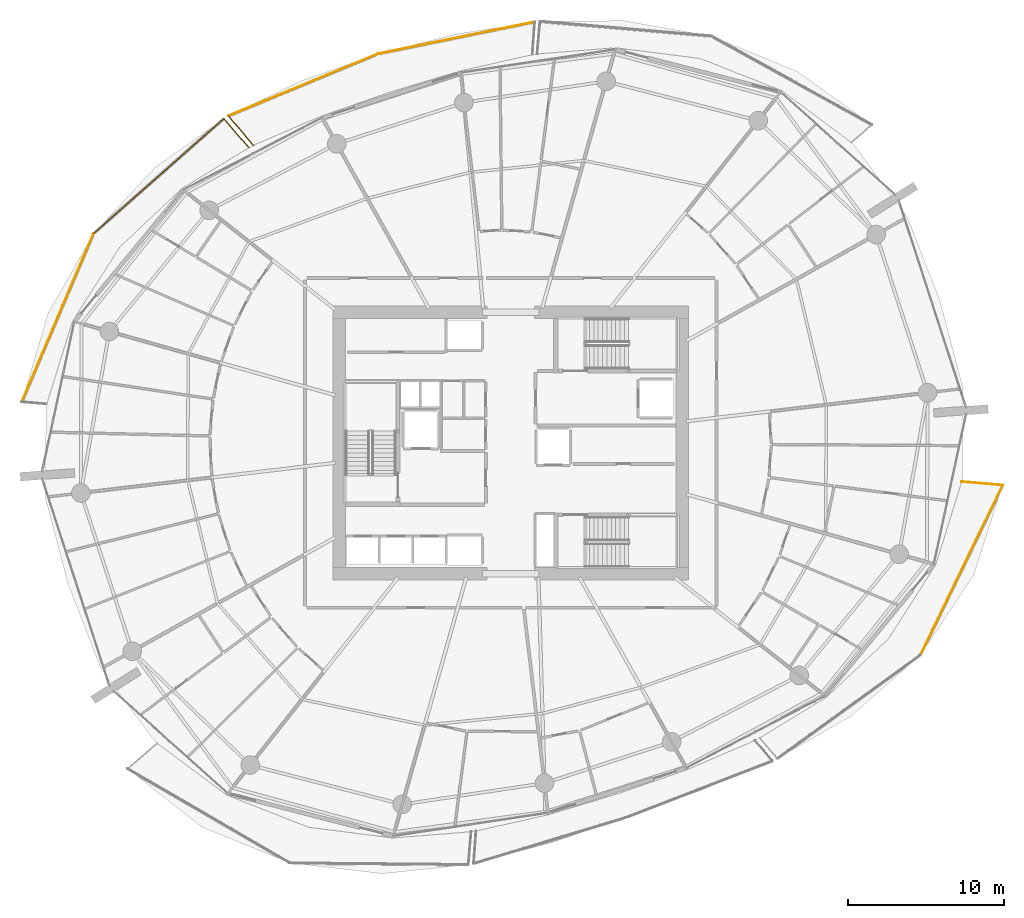
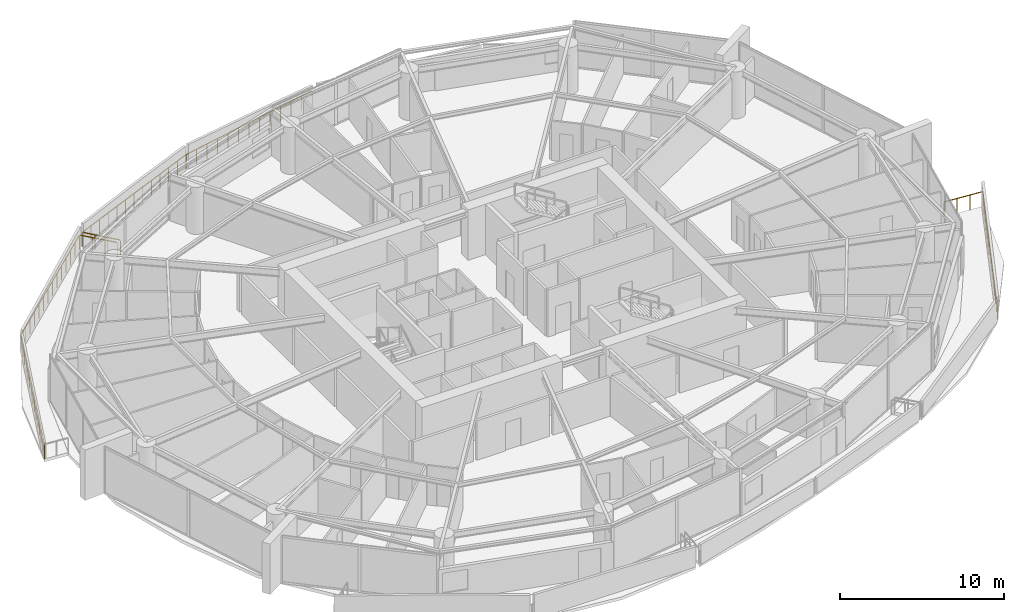
# One storey, part 21 of 23: 8 railings.
"""IFC4 building model written with IfcOpenShell, lengths in metres."""

from ifc_helpers import new_model, si_unit, direction, frame, origin, origin_2d, place, context, subcontext, project, spatial, rectangle, extrude, material, type_object, element, save


model = new_model("IFC4")

# Units and contexts
model_context = context("Model", 3, precision=1e-05, world=origin(), true_north=direction((0.0, 1.0)))
body_context = subcontext(model_context, "Body", "Model", "MODEL_VIEW")
ifc_project = project(units=[si_unit("LENGTHUNIT", "METRE"), si_unit("AREAUNIT", "SQUARE_METRE"), si_unit("VOLUMEUNIT", "CUBIC_METRE"), si_unit("PLANEANGLEUNIT", "RADIAN"), si_unit("MASSUNIT", "GRAM", prefix="KILO")], contexts=[model_context])

# Site, building, storey
site_placement = place(None, origin())
site = spatial("IfcSite", under=ifc_project, at=site_placement, CompositionType="ELEMENT")
building_placement = place(site_placement, origin())
building = spatial("IfcBuilding", under=site, at=building_placement, Name="Kazma Halo Residences", CompositionType="ELEMENT")
storey_placement = place(building_placement, frame((0.0, 0.0, 86.39990234375)))
storey = spatial("IfcBuildingStorey", under=building, at=storey_placement, Name="L21", CompositionType="ELEMENT", Elevation=86.39990234375)

# Railings
ifc_material = material(Name="Aluminium AW-6063 T6 Brushed Cap Rail", Category="aluminium")
railing_type = type_object("IfcRailingType", Name="RLG-BAL-CAP-1120", PredefinedType="BALUSTRADE", material=ifc_material)
railing_1_placement = place(storey_placement, frame((49.963134765625, 69.054931640625, 0.0)))
element("IfcRailing", 1, at=railing_1_placement, inside=storey, type_object=railing_type, Name="L21 NNW wave balcony guard 2", PredefinedType="BALUSTRADE", context=body_context, shape_type="SweptSolid", body=[
    extrude(rectangle(XDim=0.050048828125, YDim=0.050048828125, at=origin_2d()), frame((-0.041748046875, -0.008544921875, 1.09521484375), z_axis=(-0.979795712081, -0.200000906465, 0.0), x_axis=(0.200000906465, -0.979795712081, 0.0)), (0.0, 0.0, 1.0), 10.207763671875),
    extrude(rectangle(XDim=0.0400390625, YDim=0.0400390625, at=origin_2d()), origin(), (0.0, 0.0, 1.0), 1.05810546875),
    extrude(rectangle(XDim=0.0400390625, YDim=0.0400390625, at=origin_2d()), frame((-0.84033203125, -0.171630859375, 0.0)), (0.0, 0.0, 1.0), 1.05810546875),
    extrude(rectangle(XDim=0.0400390625, YDim=0.0400390625, at=origin_2d()), frame((-1.680908203125, -0.343017578125, 0.0)), (0.0, 0.0, 1.0), 1.05810546875),
    extrude(rectangle(XDim=0.0400390625, YDim=0.0400390625, at=origin_2d()), frame((-2.521240234375, -0.5146484375, 0.0)), (0.0, 0.0, 1.0), 1.05810546875),
    extrude(rectangle(XDim=0.0400390625, YDim=0.0400390625, at=origin_2d()), frame((-3.361572265625, -0.686279296875, 0.0)), (0.0, 0.0, 1.0), 1.05810546875),
    extrude(rectangle(XDim=0.0400390625, YDim=0.0400390625, at=origin_2d()), frame((-4.2021484375, -0.857666015625, 0.0)), (0.0, 0.0, 1.0), 1.05810546875),
    extrude(rectangle(XDim=0.0400390625, YDim=0.0400390625, at=origin_2d()), frame((-5.04248046875, -1.029296875, 0.0)), (0.0, 0.0, 1.0), 1.05810546875),
    extrude(rectangle(XDim=0.0400390625, YDim=0.0400390625, at=origin_2d()), frame((-5.8828125, -1.200927734375, 0.0)), (0.0, 0.0, 1.0), 1.05810546875),
    extrude(rectangle(XDim=0.0400390625, YDim=0.0400390625, at=origin_2d()), frame((-6.723388671875, -1.372314453125, 0.0)), (0.0, 0.0, 1.0), 1.05810546875),
    extrude(rectangle(XDim=0.0400390625, YDim=0.0400390625, at=origin_2d()), frame((-7.563720703125, -1.5439453125, 0.0)), (0.0, 0.0, 1.0), 1.05810546875),
    extrude(rectangle(XDim=0.0400390625, YDim=0.0400390625, at=origin_2d()), frame((-8.404052734375, -1.715576171875, 0.0)), (0.0, 0.0, 1.0), 1.05810546875),
    extrude(rectangle(XDim=0.0400390625, YDim=0.0400390625, at=origin_2d()), frame((-9.24462890625, -1.886962890625, 0.0)), (0.0, 0.0, 1.0), 1.05810546875),
    extrude(rectangle(XDim=0.0400390625, YDim=0.0400390625, at=origin_2d()), frame((-10.0849609375, -2.05859375, 0.0)), (0.0, 0.0, 1.0), 1.05810546875),
])
railing_2_placement = place(storey_placement, frame((39.878173828125, 66.996337890625, 0.0)))
element("IfcRailing", 2, at=railing_2_placement, inside=storey, type_object=railing_type, Name="L21 NNW wave balcony guard 3", PredefinedType="BALUSTRADE", context=body_context, shape_type="SweptSolid", body=[
    extrude(rectangle(XDim=0.050048828125, YDim=0.050048828125, at=origin_2d()), frame((-0.039306640625, -0.016357421875, 1.09521484375), z_axis=(-0.923699555825, -0.38311764586, 0.0), x_axis=(0.38311764586, -0.923699555825, 0.0)), (0.0, 0.0, 1.0), 10.312255859375),
    extrude(rectangle(XDim=0.0400390625, YDim=0.0400390625, at=origin_2d()), origin(), (0.0, 0.0, 1.0), 1.05810546875),
    extrude(rectangle(XDim=0.0400390625, YDim=0.0400390625, at=origin_2d()), frame((-0.80029296875, -0.33203125, 0.0)), (0.0, 0.0, 1.0), 1.05810546875),
    extrude(rectangle(XDim=0.0400390625, YDim=0.0400390625, at=origin_2d()), frame((-1.6005859375, -0.663818359375, 0.0)), (0.0, 0.0, 1.0), 1.05810546875),
    extrude(rectangle(XDim=0.0400390625, YDim=0.0400390625, at=origin_2d()), frame((-2.40087890625, -0.995849609375, 0.0)), (0.0, 0.0, 1.0), 1.05810546875),
    extrude(rectangle(XDim=0.0400390625, YDim=0.0400390625, at=origin_2d()), frame((-3.201416015625, -1.327880859375, 0.0)), (0.0, 0.0, 1.0), 1.05810546875),
    extrude(rectangle(XDim=0.0400390625, YDim=0.0400390625, at=origin_2d()), frame((-4.001708984375, -1.65966796875, 0.0)), (0.0, 0.0, 1.0), 1.05810546875),
    extrude(rectangle(XDim=0.0400390625, YDim=0.0400390625, at=origin_2d()), frame((-4.802001953125, -1.99169921875, 0.0)), (0.0, 0.0, 1.0), 1.05810546875),
    extrude(rectangle(XDim=0.0400390625, YDim=0.0400390625, at=origin_2d()), frame((-5.602294921875, -2.32373046875, 0.0)), (0.0, 0.0, 1.0), 1.05810546875),
    extrude(rectangle(XDim=0.0400390625, YDim=0.0400390625, at=origin_2d()), frame((-6.402587890625, -2.655517578125, 0.0)), (0.0, 0.0, 1.0), 1.05810546875),
    extrude(rectangle(XDim=0.0400390625, YDim=0.0400390625, at=origin_2d()), frame((-7.203125, -2.987548828125, 0.0)), (0.0, 0.0, 1.0), 1.05810546875),
    extrude(rectangle(XDim=0.0400390625, YDim=0.0400390625, at=origin_2d()), frame((-8.00341796875, -3.319580078125, 0.0)), (0.0, 0.0, 1.0), 1.05810546875),
    extrude(rectangle(XDim=0.0400390625, YDim=0.0400390625, at=origin_2d()), frame((-8.8037109375, -3.6513671875, 0.0)), (0.0, 0.0, 1.0), 1.05810546875),
    extrude(rectangle(XDim=0.0400390625, YDim=0.0400390625, at=origin_2d()), frame((-9.60400390625, -3.9833984375, 0.0)), (0.0, 0.0, 1.0), 1.05810546875),
])
railing_3_placement = place(storey_placement, frame((30.274169921875, 63.012939453125, 0.0)))
element("IfcRailing", 3, at=railing_3_placement, inside=storey, type_object=railing_type, Name="L21 NNW wave balcony guard 4", PredefinedType="BALUSTRADE", context=body_context, shape_type="SweptSolid", body=[
    extrude(rectangle(XDim=0.050048828125, YDim=0.050048828125, at=origin_2d()), frame((0.02734375, -0.032470703125, 1.09521484375), z_axis=(0.644754098317, -0.764390052724, 0.0), x_axis=(0.764390052724, 0.644754098317, 0.0)), (0.0, 0.0, 1.0), 2.394287109375),
    extrude(rectangle(XDim=0.0400390625, YDim=0.0400390625, at=origin_2d()), origin(), (0.0, 0.0, 1.0), 1.05810546875),
    extrude(rectangle(XDim=0.0400390625, YDim=0.0400390625, at=origin_2d()), frame((0.532958984375, -0.6318359375, 0.0)), (0.0, 0.0, 1.0), 1.05810546875),
    extrude(rectangle(XDim=0.0400390625, YDim=0.0400390625, at=origin_2d()), frame((1.065673828125, -1.263427734375, 0.0)), (0.0, 0.0, 1.0), 1.05810546875),
    extrude(rectangle(XDim=0.0400390625, YDim=0.0400390625, at=origin_2d()), frame((1.5986328125, -1.895263671875, 0.0)), (0.0, 0.0, 1.0), 1.05810546875),
])
railing_4_placement = place(storey_placement, frame((31.59423828125, 60.972900390625, 0.0)))
element("IfcRailing", 4, at=railing_4_placement, inside=storey, type_object=railing_type, Name="L21 NW wave balcony guard 1", PredefinedType="BALUSTRADE", context=body_context, shape_type="SweptSolid", body=[
    extrude(rectangle(XDim=0.050048828125, YDim=0.050048828125, at=origin_2d()), frame((-0.02783203125, 0.0322265625, 1.09521484375), z_axis=(-0.654064839796, 0.756438487481, 0.0), x_axis=(-0.756438487481, -0.654064839796, 0.0)), (0.0, 0.0, 1.0), 2.385498046875),
    extrude(rectangle(XDim=0.0400390625, YDim=0.0400390625, at=origin_2d()), origin(), (0.0, 0.0, 1.0), 1.05810546875),
    extrude(rectangle(XDim=0.0400390625, YDim=0.0400390625, at=origin_2d()), frame((-0.53857421875, 0.623046875, 0.0)), (0.0, 0.0, 1.0), 1.05810546875),
    extrude(rectangle(XDim=0.0400390625, YDim=0.0400390625, at=origin_2d()), frame((-1.077392578125, 1.245849609375, 0.0)), (0.0, 0.0, 1.0), 1.05810546875),
    extrude(rectangle(XDim=0.0400390625, YDim=0.0400390625, at=origin_2d()), frame((-1.615966796875, 1.868896484375, 0.0)), (0.0, 0.0, 1.0), 1.05810546875),
])
railing_5_placement = place(storey_placement, frame((29.978271484375, 62.841796875, 0.0)))
element("IfcRailing", 5, at=railing_5_placement, inside=storey, type_object=railing_type, Name="L21 NW wave balcony guard 2", PredefinedType="BALUSTRADE", context=body_context, shape_type="SweptSolid", body=[
    extrude(rectangle(XDim=0.050048828125, YDim=0.050048828125, at=origin_2d()), frame((-0.031982421875, -0.028076171875, 1.09521484375), z_axis=(-0.749632430677, -0.661854378906, 0.0), x_axis=(0.661854378906, -0.749632430677, 0.0)), (0.0, 0.0, 1.0), 11.084716796875),
    extrude(rectangle(XDim=0.0400390625, YDim=0.0400390625, at=origin_2d()), origin(), (0.0, 0.0, 1.0), 1.05810546875),
    extrude(rectangle(XDim=0.0400390625, YDim=0.0400390625, at=origin_2d()), frame((-0.64404296875, -0.568603515625, 0.0)), (0.0, 0.0, 1.0), 1.05810546875),
    extrude(rectangle(XDim=0.0400390625, YDim=0.0400390625, at=origin_2d()), frame((-1.2880859375, -1.137451171875, 0.0)), (0.0, 0.0, 1.0), 1.05810546875),
    extrude(rectangle(XDim=0.0400390625, YDim=0.0400390625, at=origin_2d()), frame((-1.932373046875, -1.7060546875, 0.0)), (0.0, 0.0, 1.0), 1.05810546875),
    extrude(rectangle(XDim=0.0400390625, YDim=0.0400390625, at=origin_2d()), frame((-2.576416015625, -2.274658203125, 0.0)), (0.0, 0.0, 1.0), 1.05810546875),
    extrude(rectangle(XDim=0.0400390625, YDim=0.0400390625, at=origin_2d()), frame((-3.220458984375, -2.843505859375, 0.0)), (0.0, 0.0, 1.0), 1.05810546875),
    extrude(rectangle(XDim=0.0400390625, YDim=0.0400390625, at=origin_2d()), frame((-3.864501953125, -3.412109375, 0.0)), (0.0, 0.0, 1.0), 1.05810546875),
    extrude(rectangle(XDim=0.0400390625, YDim=0.0400390625, at=origin_2d()), frame((-4.5087890625, -3.980712890625, 0.0)), (0.0, 0.0, 1.0), 1.05810546875),
    extrude(rectangle(XDim=0.0400390625, YDim=0.0400390625, at=origin_2d()), frame((-5.15283203125, -4.54931640625, 0.0)), (0.0, 0.0, 1.0), 1.05810546875),
    extrude(rectangle(XDim=0.0400390625, YDim=0.0400390625, at=origin_2d()), frame((-5.796875, -5.1181640625, 0.0)), (0.0, 0.0, 1.0), 1.05810546875),
    extrude(rectangle(XDim=0.0400390625, YDim=0.0400390625, at=origin_2d()), frame((-6.44091796875, -5.686767578125, 0.0)), (0.0, 0.0, 1.0), 1.05810546875),
    extrude(rectangle(XDim=0.0400390625, YDim=0.0400390625, at=origin_2d()), frame((-7.085205078125, -6.25537109375, 0.0)), (0.0, 0.0, 1.0), 1.05810546875),
    extrude(rectangle(XDim=0.0400390625, YDim=0.0400390625, at=origin_2d()), frame((-7.729248046875, -6.82421875, 0.0)), (0.0, 0.0, 1.0), 1.05810546875),
    extrude(rectangle(XDim=0.0400390625, YDim=0.0400390625, at=origin_2d()), frame((-8.373291015625, -7.392822265625, 0.0)), (0.0, 0.0, 1.0), 1.05810546875),
])
railing_6_placement = place(storey_placement, frame((21.60498046875, 55.448974609375, 0.0)))
element("IfcRailing", 6, at=railing_6_placement, inside=storey, type_object=railing_type, Name="L21 NW wave balcony guard 3", PredefinedType="BALUSTRADE", context=body_context, shape_type="SweptSolid", body=[
    extrude(rectangle(XDim=0.050048828125, YDim=0.050048828125, at=origin_2d()), frame((-0.0166015625, -0.0390625, 1.09521484375), z_axis=(-0.391745545121, -0.920073599163, 0.0), x_axis=(0.920073599163, -0.391745545121, 0.0)), (0.0, 0.0, 1.0), 11.673095703125),
    extrude(rectangle(XDim=0.0400390625, YDim=0.0400390625, at=origin_2d()), origin(), (0.0, 0.0, 1.0), 1.05810546875),
    extrude(rectangle(XDim=0.0400390625, YDim=0.0400390625, at=origin_2d()), frame((-0.3291015625, -0.772705078125, 0.0)), (0.0, 0.0, 1.0), 1.05810546875),
    extrude(rectangle(XDim=0.0400390625, YDim=0.0400390625, at=origin_2d()), frame((-0.657958984375, -1.54541015625, 0.0)), (0.0, 0.0, 1.0), 1.05810546875),
    extrude(rectangle(XDim=0.0400390625, YDim=0.0400390625, at=origin_2d()), frame((-0.987060546875, -2.318115234375, 0.0)), (0.0, 0.0, 1.0), 1.05810546875),
    extrude(rectangle(XDim=0.0400390625, YDim=0.0400390625, at=origin_2d()), frame((-1.316162109375, -3.091064453125, 0.0)), (0.0, 0.0, 1.0), 1.05810546875),
    extrude(rectangle(XDim=0.0400390625, YDim=0.0400390625, at=origin_2d()), frame((-1.64501953125, -3.86376953125, 0.0)), (0.0, 0.0, 1.0), 1.05810546875),
    extrude(rectangle(XDim=0.0400390625, YDim=0.0400390625, at=origin_2d()), frame((-1.97412109375, -4.636474609375, 0.0)), (0.0, 0.0, 1.0), 1.05810546875),
    extrude(rectangle(XDim=0.0400390625, YDim=0.0400390625, at=origin_2d()), frame((-2.30322265625, -5.4091796875, 0.0)), (0.0, 0.0, 1.0), 1.05810546875),
    extrude(rectangle(XDim=0.0400390625, YDim=0.0400390625, at=origin_2d()), frame((-2.632080078125, -6.181884765625, 0.0)), (0.0, 0.0, 1.0), 1.05810546875),
    extrude(rectangle(XDim=0.0400390625, YDim=0.0400390625, at=origin_2d()), frame((-2.961181640625, -6.95458984375, 0.0)), (0.0, 0.0, 1.0), 1.05810546875),
    extrude(rectangle(XDim=0.0400390625, YDim=0.0400390625, at=origin_2d()), frame((-3.2900390625, -7.727294921875, 0.0)), (0.0, 0.0, 1.0), 1.05810546875),
    extrude(rectangle(XDim=0.0400390625, YDim=0.0400390625, at=origin_2d()), frame((-3.619140625, -8.500244140625, 0.0)), (0.0, 0.0, 1.0), 1.05810546875),
    extrude(rectangle(XDim=0.0400390625, YDim=0.0400390625, at=origin_2d()), frame((-3.9482421875, -9.27294921875, 0.0)), (0.0, 0.0, 1.0), 1.05810546875),
    extrude(rectangle(XDim=0.0400390625, YDim=0.0400390625, at=origin_2d()), frame((-4.277099609375, -10.045654296875, 0.0)), (0.0, 0.0, 1.0), 1.05810546875),
    extrude(rectangle(XDim=0.0400390625, YDim=0.0400390625, at=origin_2d()), frame((-4.606201171875, -10.818359375, 0.0)), (0.0, 0.0, 1.0), 1.05810546875),
])
railing_7_placement = place(storey_placement, frame((74.74951171875, 28.370361328125, 0.0)))
element("IfcRailing", 7, at=railing_7_placement, inside=storey, type_object=railing_type, Name="L21 SE wave balcony guard 3", PredefinedType="BALUSTRADE", context=body_context, shape_type="SweptSolid", body=[
    extrude(rectangle(XDim=0.050048828125, YDim=0.050048828125, at=origin_2d()), frame((0.0185546875, 0.038330078125, 1.09521484375), z_axis=(0.436112940229, 0.899891939827, 0.0), x_axis=(-0.899891939827, 0.436112940229, 0.0)), (0.0, 0.0, 1.0), 12.039794921875),
    extrude(rectangle(XDim=0.0400390625, YDim=0.0400390625, at=origin_2d()), origin(), (0.0, 0.0, 1.0), 1.05810546875),
    extrude(rectangle(XDim=0.0400390625, YDim=0.0400390625, at=origin_2d()), frame((0.377685546875, 0.779296875, 0.0)), (0.0, 0.0, 1.0), 1.05810546875),
    extrude(rectangle(XDim=0.0400390625, YDim=0.0400390625, at=origin_2d()), frame((0.75537109375, 1.558837890625, 0.0)), (0.0, 0.0, 1.0), 1.05810546875),
    extrude(rectangle(XDim=0.0400390625, YDim=0.0400390625, at=origin_2d()), frame((1.133056640625, 2.338134765625, 0.0)), (0.0, 0.0, 1.0), 1.05810546875),
    extrude(rectangle(XDim=0.0400390625, YDim=0.0400390625, at=origin_2d()), frame((1.5107421875, 3.117431640625, 0.0)), (0.0, 0.0, 1.0), 1.05810546875),
    extrude(rectangle(XDim=0.0400390625, YDim=0.0400390625, at=origin_2d()), frame((1.888427734375, 3.896728515625, 0.0)), (0.0, 0.0, 1.0), 1.05810546875),
    extrude(rectangle(XDim=0.0400390625, YDim=0.0400390625, at=origin_2d()), frame((2.26611328125, 4.67626953125, 0.0)), (0.0, 0.0, 1.0), 1.05810546875),
    extrude(rectangle(XDim=0.0400390625, YDim=0.0400390625, at=origin_2d()), frame((2.64404296875, 5.45556640625, 0.0)), (0.0, 0.0, 1.0), 1.05810546875),
    extrude(rectangle(XDim=0.0400390625, YDim=0.0400390625, at=origin_2d()), frame((3.021728515625, 6.23486328125, 0.0)), (0.0, 0.0, 1.0), 1.05810546875),
    extrude(rectangle(XDim=0.0400390625, YDim=0.0400390625, at=origin_2d()), frame((3.3994140625, 7.014404296875, 0.0)), (0.0, 0.0, 1.0), 1.05810546875),
    extrude(rectangle(XDim=0.0400390625, YDim=0.0400390625, at=origin_2d()), frame((3.777099609375, 7.793701171875, 0.0)), (0.0, 0.0, 1.0), 1.05810546875),
    extrude(rectangle(XDim=0.0400390625, YDim=0.0400390625, at=origin_2d()), frame((4.15478515625, 8.572998046875, 0.0)), (0.0, 0.0, 1.0), 1.05810546875),
    extrude(rectangle(XDim=0.0400390625, YDim=0.0400390625, at=origin_2d()), frame((4.532470703125, 9.352294921875, 0.0)), (0.0, 0.0, 1.0), 1.05810546875),
    extrude(rectangle(XDim=0.0400390625, YDim=0.0400390625, at=origin_2d()), frame((4.91015625, 10.1318359375, 0.0)), (0.0, 0.0, 1.0), 1.05810546875),
    extrude(rectangle(XDim=0.0400390625, YDim=0.0400390625, at=origin_2d()), frame((5.287841796875, 10.9111328125, 0.0)), (0.0, 0.0, 1.0), 1.05810546875),
])
railing_8_placement = place(storey_placement, frame((80.037353515625, 39.281494140625, 0.0)))
element("IfcRailing", 8, at=railing_8_placement, inside=storey, type_object=railing_type, Name="L21 SE wave balcony guard 4", PredefinedType="BALUSTRADE", context=body_context, shape_type="SweptSolid", body=[
    extrude(rectangle(XDim=0.050048828125, YDim=0.050048828125, at=origin_2d()), frame((-0.04248046875, 0.003662109375, 1.09521484375), z_axis=(-0.996413783339, 0.084614256311, 0.0), x_axis=(-0.084614256311, -0.996413783339, 0.0)), (0.0, 0.0, 1.0), 2.554931640625),
    extrude(rectangle(XDim=0.0400390625, YDim=0.0400390625, at=origin_2d()), origin(), (0.0, 0.0, 1.0), 1.05810546875),
    extrude(rectangle(XDim=0.0400390625, YDim=0.0400390625, at=origin_2d()), frame((-0.876953125, 0.074462890625, 0.0)), (0.0, 0.0, 1.0), 1.05810546875),
    extrude(rectangle(XDim=0.0400390625, YDim=0.0400390625, at=origin_2d()), frame((-1.753662109375, 0.14892578125, 0.0)), (0.0, 0.0, 1.0), 1.05810546875),
    extrude(rectangle(XDim=0.0400390625, YDim=0.0400390625, at=origin_2d()), frame((-2.630615234375, 0.223388671875, 0.0)), (0.0, 0.0, 1.0), 1.05810546875),
])

save(model, "model.ifc")
